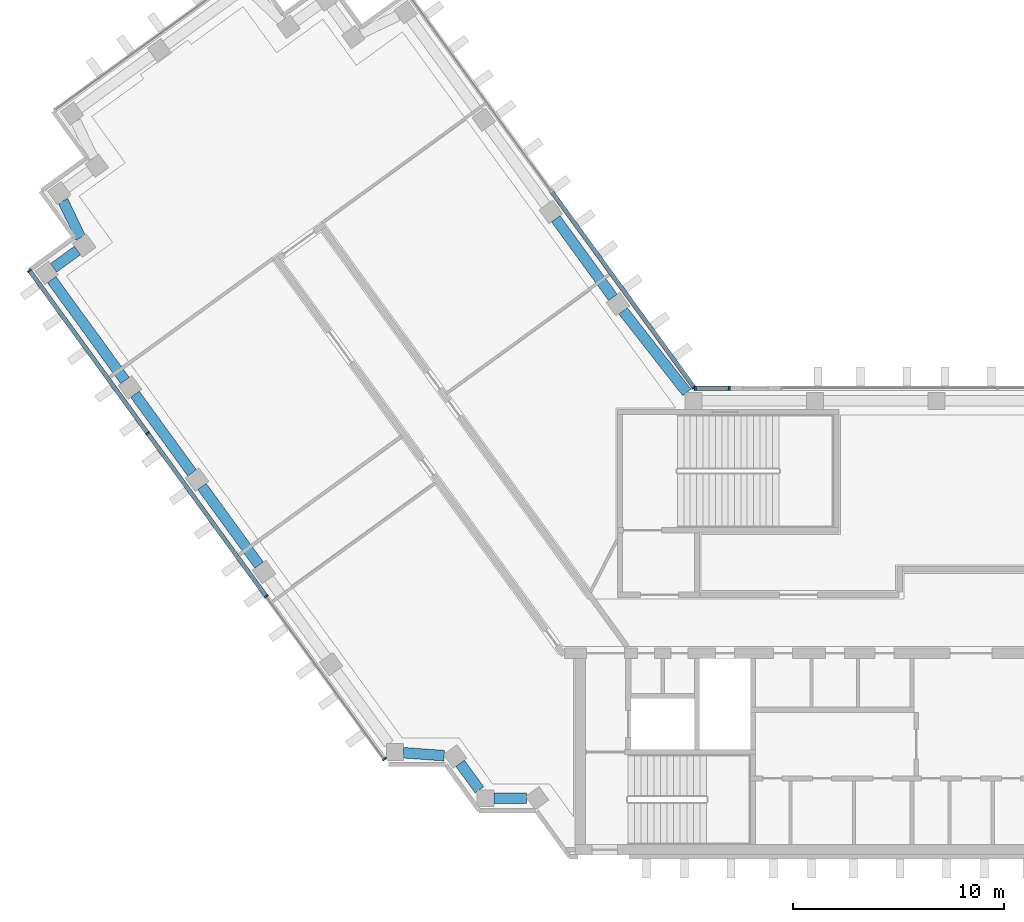
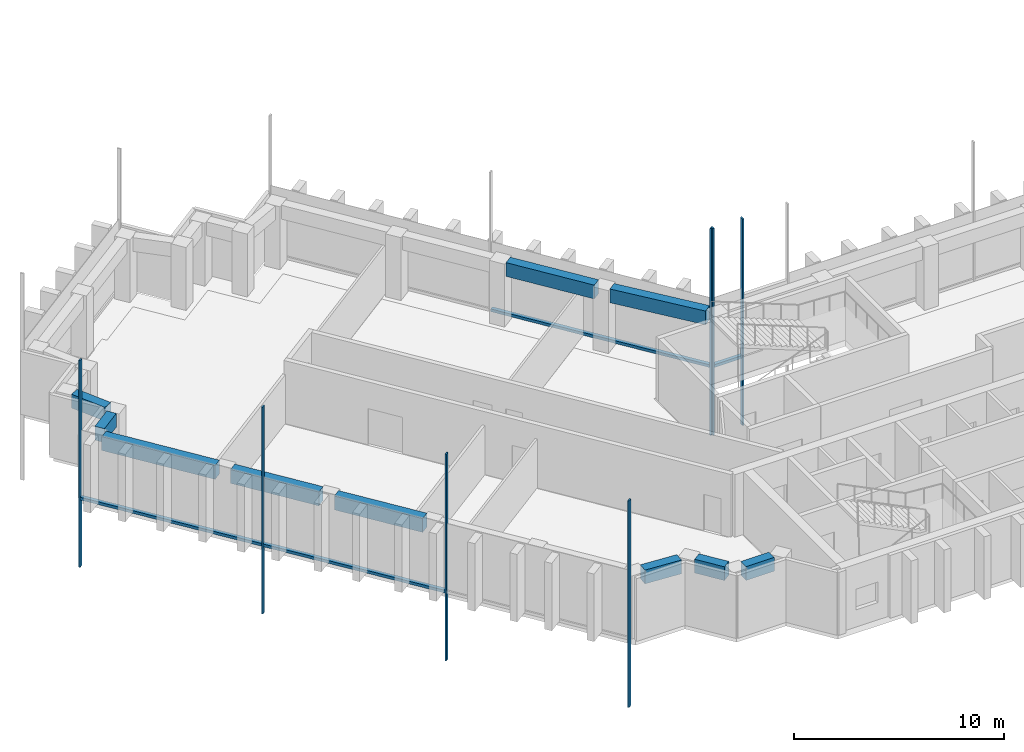
# One storey, part 2 of 12: 11 members, 10 beams, 3 elements without a shape of their own.
"""IFC4 building model written with IfcOpenShell, lengths in metres."""

import ifcopenshell
import ifcopenshell.guid

model = None  # the IFC model being written
_history = None  # IfcOwnerHistory: only IFC2X3 demands one
_inside = {}  # id of a spatial element -> (the spatial element, [elements in it])
_under = {}  # id of a project, library or spatial element -> (it, [spatial elements below it])
_declared = {}  # id of a project -> (the project, [libraries it declares])
_typed = {}  # id of a type object -> (the type object, [elements of that type])
_made_of = {}  # id of a material, layer set ... -> (it, [elements and type objects made of it])


def new_model(schema):
    """Start an empty IFC model of exactly this schema.

    Asked for "IFC4X3", IfcOpenShell would pick the latest addendum, in which some entities
    have other attributes; the version numbers below select the first issue.
    IFC2X3 requires an IfcOwnerHistory on every rooted entity: one is made here for all.
    """
    global model, _history
    if schema == "IFC4X3":
        model = ifcopenshell.file(schema_version=(4, 3, 0, 0))
    else:
        model = ifcopenshell.file(schema=schema)
    _inside.clear()
    _under.clear()
    _declared.clear()
    _typed.clear()
    _made_of.clear()
    _history = None
    if model.schema == "IFC2X3":
        org = make("IfcOrganization", Name="unknown")
        user = make(
            "IfcPersonAndOrganization",
            ThePerson=make("IfcPerson", FamilyName="unknown"),
            TheOrganization=org,
        )
        app = make(
            "IfcApplication",
            ApplicationDeveloper=org,
            Version="unknown",
            ApplicationFullName="unknown",
            ApplicationIdentifier="unknown",
        )
        _history = make(
            "IfcOwnerHistory",
            OwningUser=user,
            OwningApplication=app,
            ChangeAction="ADDED",
            CreationDate=0,
        )
    return model


def make(cls, **values):
    """One entity of the class cls with the attributes given. An attribute that is None is left unset."""
    return model.create_entity(
        cls, **{name: value for name, value in values.items() if value is not None}
    )


def rooted(cls, **values):
    """An entity with a GlobalId (a new one), such as an element, a storey or a relation."""
    return make(cls, GlobalId=ifcopenshell.guid.new(), OwnerHistory=_history, **values)


def si_unit(unit_type, name, prefix=None):
    """IfcSIUnit, for example si_unit("LENGTHUNIT", "METRE", prefix="MILLI")."""
    return make("IfcSIUnit", UnitType=unit_type, Prefix=prefix, Name=name)


def assignment(units):
    """IfcUnitAssignment: the units of a project."""
    return None if units is None else make("IfcUnitAssignment", Units=units)


def point(xyz):
    """IfcCartesianPoint."""
    return None if xyz is None else make("IfcCartesianPoint", Coordinates=xyz)


def direction(xyz):
    """IfcDirection."""
    return None if xyz is None else make("IfcDirection", DirectionRatios=xyz)


def frame(location, z_axis=None, x_axis=None):
    """IfcAxis2Placement3D, a coordinate frame: its origin and axes. An axis left out is left unset."""
    return make(
        "IfcAxis2Placement3D",
        Location=point(location),
        Axis=direction(z_axis),
        RefDirection=direction(x_axis),
    )


def frame_2d(location, x_axis=None):
    """IfcAxis2Placement2D, a coordinate frame in the plane: its origin and x axis."""
    return make(
        "IfcAxis2Placement2D", Location=point(location), RefDirection=direction(x_axis)
    )


def origin():
    """The frame at (0, 0, 0) with its axes left unset."""
    return frame((0.0, 0.0, 0.0))


def origin_2d():
    """The frame at (0, 0) in the plane with its x axis left unset."""
    return frame_2d((0.0, 0.0))


def place(relative_to, where):
    """IfcLocalPlacement: puts the frame where relative to a parent placement (None: the world)."""
    return make(
        "IfcLocalPlacement", PlacementRelTo=relative_to, RelativePlacement=where
    )


def context(
    kind, dimensions, precision=None, world=None, true_north=None, identifier=None
):
    """IfcGeometricRepresentationContext, for example the 3D "Model" context."""
    return make(
        "IfcGeometricRepresentationContext",
        ContextIdentifier=identifier,
        ContextType=kind,
        CoordinateSpaceDimension=dimensions,
        Precision=precision,
        WorldCoordinateSystem=world,
        TrueNorth=true_north,
    )


def subcontext(parent, identifier, kind, view, scale=None):
    """IfcGeometricRepresentationSubContext, for example "Body" below "Model"."""
    return make(
        "IfcGeometricRepresentationSubContext",
        ContextIdentifier=identifier,
        ContextType=kind,
        ParentContext=parent,
        TargetScale=scale,
        TargetView=view,
    )


def project(units=None, contexts=None):
    """IfcProject with its units and contexts."""
    return rooted(
        "IfcProject",
        Name="project",
        RepresentationContexts=contexts,
        UnitsInContext=assignment(units),
    )


def spatial(cls, under=None, at=None, **own):
    """A site, building, storey or space (cls), placed at a placement, below another one or the project."""
    s = rooted(cls, ObjectPlacement=at, **own)
    if under is not None:
        _under.setdefault(under.id(), (under, []))[1].append(s)
    return s


def profile(cls, at=None, kind="AREA", **sizes):
    """A parametric profile (cls). Its sizes go by their IFC names, for example OverallWidth=200.0."""
    return make(cls, ProfileType=kind, Position=at, **sizes)


def rectangle(**sizes):
    """IfcRectangleProfileDef."""
    return profile("IfcRectangleProfileDef", **sizes)


def extrude(swept, where, along, depth):
    """IfcExtrudedAreaSolid: the profile swept, set in the frame where, extruded along a direction by depth."""
    return make(
        "IfcExtrudedAreaSolid",
        SweptArea=swept,
        Position=where,
        ExtrudedDirection=direction(along),
        Depth=depth,
    )


def shape(context_of_items, identifier, shape_type, items):
    """IfcShapeRepresentation: the items that make up one representation, for example the "Body"."""
    return make(
        "IfcShapeRepresentation",
        ContextOfItems=context_of_items,
        RepresentationIdentifier=identifier,
        RepresentationType=shape_type,
        Items=items,
    )


def material(Name=None, Category=None):
    """IfcMaterial."""
    return make("IfcMaterial", Name=Name, Category=Category)


def material_profile(
    of_material, cross_section, Name=None, Category=None, Priority=None
):
    """IfcMaterialProfile: a cross section and its material."""
    return make(
        "IfcMaterialProfile",
        Name=Name,
        Material=of_material,
        Profile=cross_section,
        Priority=Priority,
        Category=Category,
    )


def profile_set(profiles, Name=None, composite=None):
    """IfcMaterialProfileSet."""
    return make(
        "IfcMaterialProfileSet",
        Name=Name,
        MaterialProfiles=profiles,
        CompositeProfile=composite,
    )


def made_of(thing, what):
    """Note that an element or type object is made of a material, layer set ...; save() writes the relation."""
    if what is not None:
        _made_of.setdefault(what.id(), (what, []))[1].append(thing)
    return thing


def type_object(cls, material=None, **own):
    """A type object (cls), such as IfcWallType, which elements share."""
    return made_of(rooted(cls, **own), material)


def element(
    cls,
    number,
    at=None,
    inside=None,
    cuts=None,
    type_object=None,
    material=None,
    context=None,
    identifier="Body",
    shape_type=None,
    held_by="IfcProductDefinitionShape",
    body=None,
    shapes=None,
    **own,
):
    """One element of the class cls, such as IfcWall. Its Tag is "e" and its number.

    at: its placement. inside: the storey or other place that contains it. cuts: it is an
    opening in that element (IfcRelVoidsElement). A single representation is given by context,
    identifier, shape_type and body (its items); several are given by shapes. held_by: the class
    of the entity that holds the representations. save() writes the other relations.
    """
    e = rooted(cls, Tag="e%d" % number, ObjectPlacement=at, **own)
    if body is not None:
        shapes = [shape(context, identifier, shape_type, body)]
    if shapes is not None:
        e.Representation = make(held_by, Representations=shapes)
    if inside is not None:
        _inside.setdefault(inside.id(), (inside, []))[1].append(e)
    if cuts is not None:
        rooted(
            "IfcRelVoidsElement", RelatingBuildingElement=cuts, RelatedOpeningElement=e
        )
    if type_object is not None:
        _typed.setdefault(type_object.id(), (type_object, []))[1].append(e)
    return made_of(e, material)


def aggregate(whole, parts):
    """IfcRelAggregates: a whole, such as a stair, and the parts it consists of."""
    return rooted("IfcRelAggregates", RelatingObject=whole, RelatedObjects=parts)


def save(model, path):
    """Write the relations noted so far, then the file.

    IfcRelAggregates (storeys below a building ...), IfcRelContainedInSpatialStructure (elements
    in a storey), IfcRelDefinesByType, IfcRelAssociatesMaterial and IfcRelDeclares: one each for
    every whole, place, type object, material and project.
    """
    for whole, parts in _under.values():
        aggregate(whole, parts)
    for where, things in _inside.values():
        rooted(
            "IfcRelContainedInSpatialStructure",
            RelatedElements=things,
            RelatingStructure=where,
        )
    for kind, things in _typed.values():
        rooted("IfcRelDefinesByType", RelatedObjects=things, RelatingType=kind)
    for what, things in _made_of.values():
        rooted("IfcRelAssociatesMaterial", RelatedObjects=things, RelatingMaterial=what)
    for by, libraries in _declared.values():
        rooted("IfcRelDeclares", RelatingContext=by, RelatedDefinitions=libraries)
    model.write(path)


model = new_model("IFC4")

# Units and contexts
model_context = context("Model", 3, precision=1e-05, world=origin(), true_north=direction((0.0, 1.0)))
body_context = subcontext(model_context, "Body", "Model", "MODEL_VIEW")
ifc_project = project(units=[si_unit("LENGTHUNIT", "METRE"), si_unit("AREAUNIT", "SQUARE_METRE"), si_unit("VOLUMEUNIT", "CUBIC_METRE"), si_unit("PLANEANGLEUNIT", "RADIAN"), si_unit("MASSUNIT", "GRAM", prefix="KILO")], contexts=[model_context])

# Site, building, storey
site_placement = place(None, origin())
site = spatial("IfcSite", under=ifc_project, at=site_placement, CompositionType="ELEMENT")
building_placement = place(site_placement, origin())
building = spatial("IfcBuilding", under=site, at=building_placement, Name="Quipu Civic Tower", CompositionType="ELEMENT")
storey_placement = place(building_placement, frame((0.0, 0.0, 222.0)))
storey = spatial("IfcBuildingStorey", under=building, at=storey_placement, Name="L52", CompositionType="ELEMENT", Elevation=222.0)

# Curtain wall, member
ifc_material_1 = material(Name="Insulated glass unit", Category="glass")
curtain_wall_type = type_object("IfcCurtainWallType", Name="Office curtain wall CW1", PredefinedType="NOTDEFINED", material=ifc_material_1)
curtain_wall_1_placement = place(storey_placement, origin())
curtain_wall_1 = element("IfcCurtainWall", 1, at=curtain_wall_1_placement, inside=storey, type_object=curtain_wall_type, Name="Office curtain wall CW1 L51 run 1", PredefinedType="NOTDEFINED")
ifc_material_2 = material(Name="Anodised aluminium", Category="aluminium")
ifc_material_profile_1 = material_profile(ifc_material_2, rectangle(XDim=0.199951171875, YDim=0.080078125, at=origin_2d()), Name="RECT 200x80")
ifc_profile_set_1 = profile_set([ifc_material_profile_1], Name="Anodised aluminium")
member_type_1 = type_object("IfcMemberType", Name="Mullion CW1", PredefinedType="MULLION", material=ifc_profile_set_1)
member_1_placement = place(storey_placement, frame((-14.36767578125, 11.13232421875, -3.919921875), z_axis=(0.0, 0.0, 1.0), x_axis=(-0.809014469803, -0.587788727052, 0.0)))
member_1 = element("IfcMember", 2, at=member_1_placement, type_object=member_type_1, Name="CW1 mullion 1", PredefinedType="MULLION", context=body_context, shape_type="SweptSolid", body=[
    extrude(rectangle(XDim=0.199951171875, YDim=0.080078125, at=origin_2d()), origin(), (0.0, 0.0, 1.0), 12.0),
])

# Curtain wall, members
curtain_wall_2_placement = place(storey_placement, origin())
curtain_wall_2 = element("IfcCurtainWall", 3, at=curtain_wall_2_placement, inside=storey, type_object=curtain_wall_type, Name="Office curtain wall CW1 L51 run 11", PredefinedType="NOTDEFINED")
member_2_placement = place(storey_placement, frame((-45.825927734375, 16.661865234375, -3.919921875), z_axis=(0.0, 0.0, 1.0), x_axis=(0.80901667469, 0.5877856923, 0.0)))
member_2 = element("IfcMember", 4, at=member_2_placement, type_object=member_type_1, Name="CW1 mullion 1", PredefinedType="MULLION", context=body_context, shape_type="SweptSolid", body=[
    extrude(rectangle(XDim=0.199951171875, YDim=0.080078125, at=origin_2d()), origin(), (0.0, 0.0, 1.0), 12.0),
])
member_3_placement = place(storey_placement, frame((-40.23486328125, 8.966552734375, -3.919921875), z_axis=(0.0, 0.0, 1.0), x_axis=(0.80901667469, 0.5877856923, 0.0)))
member_3 = element("IfcMember", 5, at=member_3_placement, type_object=member_type_1, Name="CW1 mullion 2", PredefinedType="MULLION", context=body_context, shape_type="SweptSolid", body=[
    extrude(rectangle(XDim=0.199951171875, YDim=0.080078125, at=origin_2d()), origin(), (0.0, 0.0, 1.0), 12.0),
])
member_4_placement = place(storey_placement, frame((-34.620361328125, 1.23876953125, -3.919921875), z_axis=(0.0, 0.0, 1.0), x_axis=(0.80901667469, 0.5877856923, 0.0)))
member_4 = element("IfcMember", 6, at=member_4_placement, type_object=member_type_1, Name="CW1 mullion 3", PredefinedType="MULLION", context=body_context, shape_type="SweptSolid", body=[
    extrude(rectangle(XDim=0.199951171875, YDim=0.080078125, at=origin_2d()), origin(), (0.0, 0.0, 1.0), 12.0),
])
member_5_placement = place(storey_placement, frame((-29.029296875, -6.45654296875, -3.919921875), z_axis=(0.0, 0.0, 1.0), x_axis=(0.80901667469, 0.5877856923, 0.0)))
member_5 = element("IfcMember", 7, at=member_5_placement, type_object=member_type_1, Name="CW1 mullion 4", PredefinedType="MULLION", context=body_context, shape_type="SweptSolid", body=[
    extrude(rectangle(XDim=0.199951171875, YDim=0.080078125, at=origin_2d()), origin(), (0.0, 0.0, 1.0), 12.0),
])

curtain_wall_3_placement = place(storey_placement, origin())
curtain_wall_3 = element("IfcCurtainWall", 8, at=curtain_wall_3_placement, inside=storey, type_object=curtain_wall_type, Name="Office curtain wall CW1 L51 run 31", PredefinedType="NOTDEFINED")
member_6_placement = place(storey_placement, frame((-12.695068359375, 11.10009765625, -3.919921875), z_axis=(0.0, 0.0, 1.0), x_axis=(0.0, -1.0, 0.0)))
member_6 = element("IfcMember", 9, at=member_6_placement, type_object=member_type_1, Name="CW1 mullion 1", PredefinedType="MULLION", context=body_context, shape_type="SweptSolid", body=[
    extrude(rectangle(XDim=0.199951171875, YDim=0.080078125, at=origin_2d()), origin(), (0.0, 0.0, 1.0), 12.0),
])
member_7_placement = place(storey_placement, frame((-14.30419921875, 11.10009765625, -3.919921875), z_axis=(0.0, 0.0, 1.0), x_axis=(0.0, -1.0, 0.0)))
member_7 = element("IfcMember", 10, at=member_7_placement, type_object=member_type_1, Name="CW1 mullion 2", PredefinedType="MULLION", context=body_context, shape_type="SweptSolid", body=[
    extrude(rectangle(XDim=0.199951171875, YDim=0.080078125, at=origin_2d()), origin(), (0.0, 0.0, 1.0), 12.0),
])

# Beams
ifc_material_3 = material(Name="Concrete C50/60", Category="concrete")
ifc_material_profile_2 = material_profile(ifc_material_3, rectangle(XDim=0.5, YDim=0.800048828125, at=origin_2d()), Name="RC500x800")
ifc_profile_set_2 = profile_set([ifc_material_profile_2], Name="Concrete C50/60")
beam_type = type_object("IfcBeamType", Name="Spandrel beam RC 500x800 C50/60", PredefinedType="SPANDREL", material=ifc_profile_set_2)
beam_1_placement = place(storey_placement, frame((-18.208740234375, 15.398681640625, 3.25), z_axis=(-0.58776136044, 0.809034352283, 0.0), x_axis=(-0.809034352283, -0.58776136044, 0.0)))
element("IfcBeam", 11, at=beam_1_placement, inside=storey, type_object=beam_type, Name="Spandrel beam L52 W-IN-01 to W-IN-02", PredefinedType="SPANDREL", context=body_context, shape_type="SweptSolid", body=[
    extrude(rectangle(XDim=0.5, YDim=0.800048828125, at=origin_2d()), origin(), (0.0, 0.0, 1.0), 4.599853515625),
])
beam_2_placement = place(storey_placement, frame((-44.23974609375, 19.9677734375, 3.25), z_axis=(0.430785642718, -0.902454281406, 0.0), x_axis=(0.902454281406, 0.430785642718, 0.0)))
element("IfcBeam", 12, at=beam_2_placement, inside=storey, type_object=beam_type, Name="Spandrel beam L52 T-Wo.2-W34 to T-Wo.3-W34", PredefinedType="SPANDREL", context=body_context, shape_type="SweptSolid", body=[
    extrude(rectangle(XDim=0.5, YDim=0.800048828125, at=origin_2d()), origin(), (0.0, 0.0, 1.0), 1.934814453125),
])
beam_3_placement = place(storey_placement, frame((-43.554443359375, 17.619140625, 3.25), z_axis=(-0.808600329101, -0.588358315805, 0.0), x_axis=(0.588358315805, -0.808600329101, 0.0)))
element("IfcBeam", 13, at=beam_3_placement, inside=storey, type_object=beam_type, Name="Spandrel beam L52 T-Wo.3-W34 to T-Wo.4-W34", PredefinedType="SPANDREL", context=body_context, shape_type="SweptSolid", body=[
    extrude(rectangle(XDim=0.5, YDim=0.800048828125, at=origin_2d()), origin(), (0.0, 0.0, 1.0), 1.400146484375),
])
beam_4_placement = place(storey_placement, frame((-44.77490234375, 16.236328125, 3.25), z_axis=(0.58780026889, -0.809006083965, 0.0), x_axis=(0.809006083965, 0.58780026889, 0.0)))
element("IfcBeam", 14, at=beam_4_placement, inside=storey, type_object=beam_type, Name="Spandrel beam L52 T-Wo.4-W34 to W-OUT-04", PredefinedType="SPANDREL", context=body_context, shape_type="SweptSolid", body=[
    extrude(rectangle(XDim=0.5, YDim=0.800048828125, at=origin_2d()), origin(), (0.0, 0.0, 1.0), 5.902587890625),
])
beam_5_placement = place(storey_placement, frame((-40.835205078125, 10.81396484375, 3.25), z_axis=(0.587770861189, -0.809027449928, 0.0), x_axis=(0.809027449928, 0.587770861189, 0.0)))
element("IfcBeam", 15, at=beam_5_placement, inside=storey, type_object=beam_type, Name="Spandrel beam L52 W-OUT-04 to W-OUT-03", PredefinedType="SPANDREL", context=body_context, shape_type="SweptSolid", body=[
    extrude(rectangle(XDim=0.5, YDim=0.800048828125, at=origin_2d()), origin(), (0.0, 0.0, 1.0), 4.60009765625),
])
beam_6_placement = place(storey_placement, frame((-37.6611328125, 6.445068359375, 3.25), z_axis=(0.58776136044, -0.809034352283, 0.0), x_axis=(0.809034352283, 0.58776136044, 0.0)))
element("IfcBeam", 16, at=beam_6_placement, inside=storey, type_object=beam_type, Name="Spandrel beam L52 W-OUT-03 to W-OUT-02", PredefinedType="SPANDREL", context=body_context, shape_type="SweptSolid", body=[
    extrude(rectangle(XDim=0.5, YDim=0.800048828125, at=origin_2d()), origin(), (0.0, 0.0, 1.0), 4.599853515625),
])
beam_7_placement = place(storey_placement, frame((-28.125, -6.158935546875, 3.25), z_axis=(0.997370796499, -0.072467194581, 0.0), x_axis=(0.072467194581, 0.997370796499, 0.0)))
element("IfcBeam", 17, at=beam_7_placement, inside=storey, type_object=beam_type, Name="Spandrel beam L52 J-Wo.0 to J-Wo.1", PredefinedType="SPANDREL", context=body_context, shape_type="SweptSolid", body=[
    extrude(rectangle(XDim=0.5, YDim=0.800048828125, at=origin_2d()), origin(), (0.0, 0.0, 1.0), 1.933837890625),
])
beam_8_placement = place(storey_placement, frame((-25.43896484375, -6.660400390625, 3.25), z_axis=(0.588330737135, -0.808620395329, 0.0), x_axis=(0.808620395329, 0.588330737135, 0.0)))
element("IfcBeam", 18, at=beam_8_placement, inside=storey, type_object=beam_type, Name="Spandrel beam L52 J-Wo.1 to J-Wo.2", PredefinedType="SPANDREL", context=body_context, shape_type="SweptSolid", body=[
    extrude(rectangle(XDim=0.5, YDim=0.800048828125, at=origin_2d()), origin(), (0.0, 0.0, 1.0), 1.551513671875),
])
beam_9_placement = place(storey_placement, frame((-23.8349609375, -8.31494140625, 3.25), z_axis=(1.0, 0.0, 0.0), x_axis=(0.0, 1.0, 0.0)))
element("IfcBeam", 19, at=beam_9_placement, inside=storey, type_object=beam_type, Name="Spandrel beam L52 J-Wo.2 to J-Wo.3", PredefinedType="SPANDREL", context=body_context, shape_type="SweptSolid", body=[
    extrude(rectangle(XDim=0.5, YDim=0.800048828125, at=origin_2d()), origin(), (0.0, 0.0, 1.0), 1.548828125),
])
beam_10_placement = place(storey_placement, frame((-14.7080078125, 10.89990234375, 3.25), z_axis=(-0.616090612932, 0.787675286306, 0.0), x_axis=(-0.787675286306, -0.616090612932, 0.0)))
element("IfcBeam", 20, at=beam_10_placement, inside=storey, type_object=beam_type, Name="Spandrel beam L52 J-Wi.0 to W-IN-01", PredefinedType="SPANDREL", context=body_context, shape_type="SweptSolid", body=[
    extrude(rectangle(XDim=0.5, YDim=0.800048828125, at=origin_2d()), origin(), (0.0, 0.0, 1.0), 4.900390625),
])

# Member
ifc_material_4 = material(Name="Anodised aluminium", Category="aluminium")
ifc_material_profile_3 = material_profile(ifc_material_4, rectangle(XDim=0.199951171875, YDim=0.159912109375, at=origin_2d()), Name="RECT 200x160")
ifc_profile_set_3 = profile_set([ifc_material_profile_3], Name="Anodised aluminium")
member_type_2 = type_object("IfcMemberType", Name="Transom CW1", PredefinedType="USERDEFINED", material=ifc_profile_set_3)
member_8_placement = place(storey_placement, frame((-14.39111328125, 11.164794921875, 0.080078125), z_axis=(-0.587799878401, 0.809006367683, 0.0), x_axis=(-0.809006367683, -0.587799878401, 0.0)))
member_8 = element("IfcMember", 21, at=member_8_placement, type_object=member_type_2, Name="CW1 transom 1.2", ObjectType="TRANSOM", PredefinedType="USERDEFINED", context=body_context, shape_type="SweptSolid", body=[
    extrude(rectangle(XDim=0.199951171875, YDim=0.159912109375, at=origin_2d()), origin(), (0.0, 0.0, 1.0), 11.402099609375),
])

aggregate(curtain_wall_1, [member_1, member_8])

member_9_placement = place(storey_placement, frame((-45.802490234375, 16.629638671875, 0.080078125), z_axis=(0.587783783239, -0.809018061703, 0.0), x_axis=(0.809018061703, 0.587783783239, 0.0)))
member_9 = element("IfcMember", 22, at=member_9_placement, type_object=member_type_2, Name="CW1 transom 1.2", ObjectType="TRANSOM", PredefinedType="USERDEFINED", context=body_context, shape_type="SweptSolid", body=[
    extrude(rectangle(XDim=0.199951171875, YDim=0.159912109375, at=origin_2d()), origin(), (0.0, 0.0, 1.0), 9.431884765625),
])

member_10_placement = place(storey_placement, frame((-40.21142578125, 8.934326171875, 0.080078125), z_axis=(0.587773158676, -0.809025780763, 0.0), x_axis=(0.809025780763, 0.587773158676, 0.0)))
member_10 = element("IfcMember", 23, at=member_10_placement, type_object=member_type_2, Name="CW1 transom 2.2", ObjectType="TRANSOM", PredefinedType="USERDEFINED", context=body_context, shape_type="SweptSolid", body=[
    extrude(rectangle(XDim=0.199951171875, YDim=0.159912109375, at=origin_2d()), origin(), (0.0, 0.0, 1.0), 9.471923828125),
])

aggregate(curtain_wall_2, [member_2, member_3, member_4, member_5, member_9, member_10])

member_11_placement = place(storey_placement, frame((-12.735107421875, 11.10009765625, 0.080078125), z_axis=(-1.0, 0.0, 0.0), x_axis=(0.0, -1.0, 0.0)))
member_11 = element("IfcMember", 24, at=member_11_placement, type_object=member_type_2, Name="CW1 transom 1.2", ObjectType="TRANSOM", PredefinedType="USERDEFINED", context=body_context, shape_type="SweptSolid", body=[
    extrude(rectangle(XDim=0.199951171875, YDim=0.159912109375, at=origin_2d()), origin(), (0.0, 0.0, 1.0), 1.529052734375),
])

aggregate(curtain_wall_3, [member_6, member_7, member_11])

save(model, "model.ifc")
